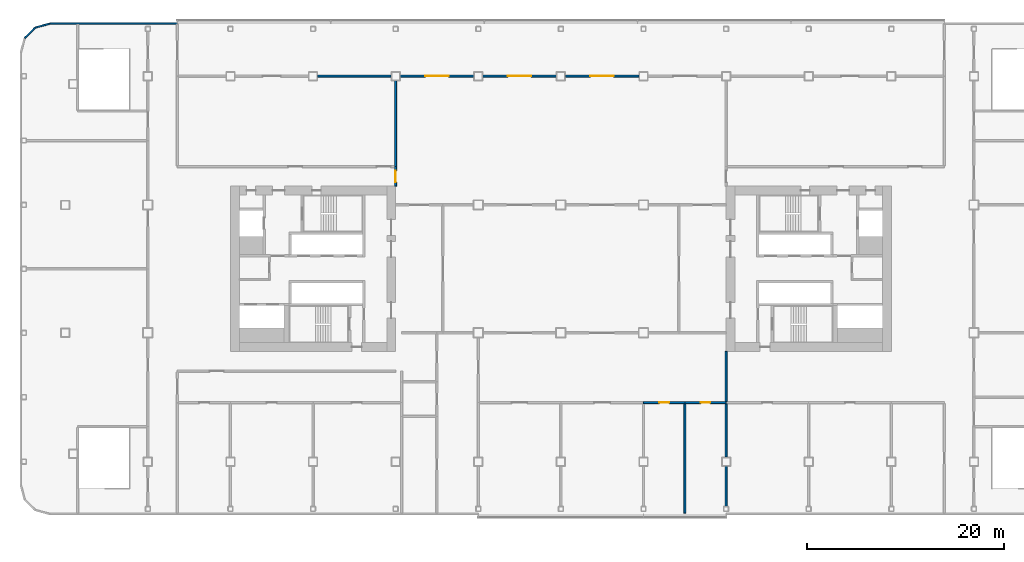
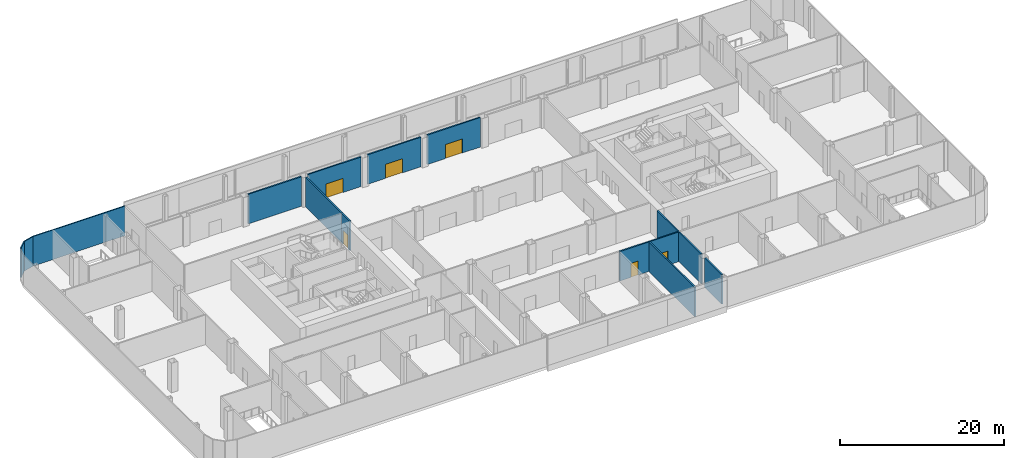
# One storey, part 21 of 53: 15 walls, 6 doors, 6 openings.
"""IFC4 building model written with IfcOpenShell, lengths in metres."""

import ifcopenshell
import ifcopenshell.guid

model = None  # the IFC model being written
_history = None  # IfcOwnerHistory: only IFC2X3 demands one
_inside = {}  # id of a spatial element -> (the spatial element, [elements in it])
_under = {}  # id of a project, library or spatial element -> (it, [spatial elements below it])
_declared = {}  # id of a project -> (the project, [libraries it declares])
_typed = {}  # id of a type object -> (the type object, [elements of that type])
_made_of = {}  # id of a material, layer set ... -> (it, [elements and type objects made of it])


def new_model(schema):
    """Start an empty IFC model of exactly this schema.

    Asked for "IFC4X3", IfcOpenShell would pick the latest addendum, in which some entities
    have other attributes; the version numbers below select the first issue.
    IFC2X3 requires an IfcOwnerHistory on every rooted entity: one is made here for all.
    """
    global model, _history
    if schema == "IFC4X3":
        model = ifcopenshell.file(schema_version=(4, 3, 0, 0))
    else:
        model = ifcopenshell.file(schema=schema)
    _inside.clear()
    _under.clear()
    _declared.clear()
    _typed.clear()
    _made_of.clear()
    _history = None
    if model.schema == "IFC2X3":
        org = make("IfcOrganization", Name="unknown")
        user = make(
            "IfcPersonAndOrganization",
            ThePerson=make("IfcPerson", FamilyName="unknown"),
            TheOrganization=org,
        )
        app = make(
            "IfcApplication",
            ApplicationDeveloper=org,
            Version="unknown",
            ApplicationFullName="unknown",
            ApplicationIdentifier="unknown",
        )
        _history = make(
            "IfcOwnerHistory",
            OwningUser=user,
            OwningApplication=app,
            ChangeAction="ADDED",
            CreationDate=0,
        )
    return model


def make(cls, **values):
    """One entity of the class cls with the attributes given. An attribute that is None is left unset."""
    return model.create_entity(
        cls, **{name: value for name, value in values.items() if value is not None}
    )


def rooted(cls, **values):
    """An entity with a GlobalId (a new one), such as an element, a storey or a relation."""
    return make(cls, GlobalId=ifcopenshell.guid.new(), OwnerHistory=_history, **values)


def si_unit(unit_type, name, prefix=None):
    """IfcSIUnit, for example si_unit("LENGTHUNIT", "METRE", prefix="MILLI")."""
    return make("IfcSIUnit", UnitType=unit_type, Prefix=prefix, Name=name)


def assignment(units):
    """IfcUnitAssignment: the units of a project."""
    return None if units is None else make("IfcUnitAssignment", Units=units)


def point(xyz):
    """IfcCartesianPoint."""
    return None if xyz is None else make("IfcCartesianPoint", Coordinates=xyz)


def direction(xyz):
    """IfcDirection."""
    return None if xyz is None else make("IfcDirection", DirectionRatios=xyz)


def frame(location, z_axis=None, x_axis=None):
    """IfcAxis2Placement3D, a coordinate frame: its origin and axes. An axis left out is left unset."""
    return make(
        "IfcAxis2Placement3D",
        Location=point(location),
        Axis=direction(z_axis),
        RefDirection=direction(x_axis),
    )


def frame_2d(location, x_axis=None):
    """IfcAxis2Placement2D, a coordinate frame in the plane: its origin and x axis."""
    return make(
        "IfcAxis2Placement2D", Location=point(location), RefDirection=direction(x_axis)
    )


def origin():
    """The frame at (0, 0, 0) with its axes left unset."""
    return frame((0.0, 0.0, 0.0))


def place(relative_to, where):
    """IfcLocalPlacement: puts the frame where relative to a parent placement (None: the world)."""
    return make(
        "IfcLocalPlacement", PlacementRelTo=relative_to, RelativePlacement=where
    )


def context(
    kind, dimensions, precision=None, world=None, true_north=None, identifier=None
):
    """IfcGeometricRepresentationContext, for example the 3D "Model" context."""
    return make(
        "IfcGeometricRepresentationContext",
        ContextIdentifier=identifier,
        ContextType=kind,
        CoordinateSpaceDimension=dimensions,
        Precision=precision,
        WorldCoordinateSystem=world,
        TrueNorth=true_north,
    )


def subcontext(parent, identifier, kind, view, scale=None):
    """IfcGeometricRepresentationSubContext, for example "Body" below "Model"."""
    return make(
        "IfcGeometricRepresentationSubContext",
        ContextIdentifier=identifier,
        ContextType=kind,
        ParentContext=parent,
        TargetScale=scale,
        TargetView=view,
    )


def project(units=None, contexts=None):
    """IfcProject with its units and contexts."""
    return rooted(
        "IfcProject",
        Name="project",
        RepresentationContexts=contexts,
        UnitsInContext=assignment(units),
    )


def spatial(cls, under=None, at=None, **own):
    """A site, building, storey or space (cls), placed at a placement, below another one or the project."""
    s = rooted(cls, ObjectPlacement=at, **own)
    if under is not None:
        _under.setdefault(under.id(), (under, []))[1].append(s)
    return s


def profile(cls, at=None, kind="AREA", **sizes):
    """A parametric profile (cls). Its sizes go by their IFC names, for example OverallWidth=200.0."""
    return make(cls, ProfileType=kind, Position=at, **sizes)


def rectangle(**sizes):
    """IfcRectangleProfileDef."""
    return profile("IfcRectangleProfileDef", **sizes)


def extrude(swept, where, along, depth):
    """IfcExtrudedAreaSolid: the profile swept, set in the frame where, extruded along a direction by depth."""
    return make(
        "IfcExtrudedAreaSolid",
        SweptArea=swept,
        Position=where,
        ExtrudedDirection=direction(along),
        Depth=depth,
    )


def shape(context_of_items, identifier, shape_type, items):
    """IfcShapeRepresentation: the items that make up one representation, for example the "Body"."""
    return make(
        "IfcShapeRepresentation",
        ContextOfItems=context_of_items,
        RepresentationIdentifier=identifier,
        RepresentationType=shape_type,
        Items=items,
    )


def material(Name=None, Category=None):
    """IfcMaterial."""
    return make("IfcMaterial", Name=Name, Category=Category)


def layer(
    of_material, thickness, ventilated=None, Name=None, Category=None, Priority=None
):
    """IfcMaterialLayer: one layer of a wall or slab, of a material (None: an air gap)."""
    return make(
        "IfcMaterialLayer",
        Material=of_material,
        LayerThickness=thickness,
        IsVentilated=ventilated,
        Name=Name,
        Category=Category,
        Priority=Priority,
    )


def layer_set(layers, Name=None):
    """IfcMaterialLayerSet."""
    return make("IfcMaterialLayerSet", MaterialLayers=layers, LayerSetName=Name)


def made_of(thing, what):
    """Note that an element or type object is made of a material, layer set ...; save() writes the relation."""
    if what is not None:
        _made_of.setdefault(what.id(), (what, []))[1].append(thing)
    return thing


def type_object(cls, material=None, **own):
    """A type object (cls), such as IfcWallType, which elements share."""
    return made_of(rooted(cls, **own), material)


def element(
    cls,
    number,
    at=None,
    inside=None,
    cuts=None,
    type_object=None,
    material=None,
    context=None,
    identifier="Body",
    shape_type=None,
    held_by="IfcProductDefinitionShape",
    body=None,
    shapes=None,
    **own,
):
    """One element of the class cls, such as IfcWall. Its Tag is "e" and its number.

    at: its placement. inside: the storey or other place that contains it. cuts: it is an
    opening in that element (IfcRelVoidsElement). A single representation is given by context,
    identifier, shape_type and body (its items); several are given by shapes. held_by: the class
    of the entity that holds the representations. save() writes the other relations.
    """
    e = rooted(cls, Tag="e%d" % number, ObjectPlacement=at, **own)
    if body is not None:
        shapes = [shape(context, identifier, shape_type, body)]
    if shapes is not None:
        e.Representation = make(held_by, Representations=shapes)
    if inside is not None:
        _inside.setdefault(inside.id(), (inside, []))[1].append(e)
    if cuts is not None:
        rooted(
            "IfcRelVoidsElement", RelatingBuildingElement=cuts, RelatedOpeningElement=e
        )
    if type_object is not None:
        _typed.setdefault(type_object.id(), (type_object, []))[1].append(e)
    return made_of(e, material)


def fill(opening, filler):
    """IfcRelFillsElement: the door or window that sits in an opening."""
    return rooted(
        "IfcRelFillsElement",
        RelatingOpeningElement=opening,
        RelatedBuildingElement=filler,
    )


def aggregate(whole, parts):
    """IfcRelAggregates: a whole, such as a stair, and the parts it consists of."""
    return rooted("IfcRelAggregates", RelatingObject=whole, RelatedObjects=parts)


def save(model, path):
    """Write the relations noted so far, then the file.

    IfcRelAggregates (storeys below a building ...), IfcRelContainedInSpatialStructure (elements
    in a storey), IfcRelDefinesByType, IfcRelAssociatesMaterial and IfcRelDeclares: one each for
    every whole, place, type object, material and project.
    """
    for whole, parts in _under.values():
        aggregate(whole, parts)
    for where, things in _inside.values():
        rooted(
            "IfcRelContainedInSpatialStructure",
            RelatedElements=things,
            RelatingStructure=where,
        )
    for kind, things in _typed.values():
        rooted("IfcRelDefinesByType", RelatedObjects=things, RelatingType=kind)
    for what, things in _made_of.values():
        rooted("IfcRelAssociatesMaterial", RelatedObjects=things, RelatingMaterial=what)
    for by, libraries in _declared.values():
        rooted("IfcRelDeclares", RelatingContext=by, RelatedDefinitions=libraries)
    model.write(path)


model = new_model("IFC4")

# Units and contexts
model_context = context("Model", 3, precision=1e-05, world=origin(), true_north=direction((0.0, 1.0)))
body_context = subcontext(model_context, "Body", "Model", "MODEL_VIEW")
ifc_project = project(units=[si_unit("LENGTHUNIT", "METRE"), si_unit("AREAUNIT", "SQUARE_METRE"), si_unit("VOLUMEUNIT", "CUBIC_METRE"), si_unit("PLANEANGLEUNIT", "RADIAN"), si_unit("MASSUNIT", "GRAM", prefix="KILO")], contexts=[model_context])

# Site, building, storey
site_placement = place(None, origin())
site = spatial("IfcSite", under=ifc_project, at=site_placement, CompositionType="ELEMENT")
building_placement = place(site_placement, origin())
building = spatial("IfcBuilding", under=site, at=building_placement, Name="Hakoniwa Tower and Hamabe Station Hall", CompositionType="ELEMENT")
storey_placement = place(building_placement, frame((0.0, 0.0, 15.0)))
storey = spatial("IfcBuildingStorey", under=building, at=storey_placement, Name="L03", CompositionType="ELEMENT", Elevation=15.0)

# Walls
ifc_material_1 = material(Name="Dark glass-faced aluminium panel", Category="aluminium")
ifc_layer_1 = layer(ifc_material_1, 0.14990234375)
ifc_layer_set_1 = layer_set([ifc_layer_1], Name="EXTERNAL WALL 150 EI 60")
wall_type_1 = type_object("IfcWallType", Name="EXTERNAL WALL 150 EI 60", PredefinedType="STANDARD", material=ifc_layer_set_1)
wall_1_placement = place(storey_placement, frame((-54.5166015625, 23.475341796875, 0.0), z_axis=(0.0, 0.0, 1.0), x_axis=(0.707106781187, 0.707106781187, 0.0)))
element("IfcWall", 1, at=wall_1_placement, inside=storey, type_object=wall_type_1, Name="External wall L03 10-1", PredefinedType="STANDARD", context=body_context, shape_type="SweptSolid", body=[
    extrude(rectangle(XDim=1.47265625, YDim=0.14990234375, at=frame_2d((0.736328125, 0.0))), origin(), (0.0, 0.0, 1.0), 4.39990234375),
])
wall_2_placement = place(storey_placement, frame((-53.441650390625, 24.5361328125, 0.0), z_axis=(0.0, 0.0, 1.0), x_axis=(0.965946591624, 0.258741535379, 0.0)))
element("IfcWall", 2, at=wall_2_placement, inside=storey, type_object=wall_type_1, Name="External wall L03 11-1", PredefinedType="STANDARD", context=body_context, shape_type="SweptSolid", body=[
    extrude(rectangle(XDim=1.49267578125, YDim=0.14990234375, at=frame_2d((0.746337890625, 0.0))), origin(), (0.0, 0.0, 1.0), 4.39990234375),
])
wall_3_placement = place(storey_placement, frame((-51.980224609375, 24.925048828125, 0.0), z_axis=(0.0, 0.0, 1.0), x_axis=(1.0, 0.0, 0.0)))
element("IfcWall", 3, at=wall_3_placement, inside=storey, type_object=wall_type_1, Name="External wall L03 12-1", PredefinedType="STANDARD", context=body_context, shape_type="SweptSolid", body=[
    extrude(rectangle(XDim=12.980224609375, YDim=0.14990234375, at=frame_2d((6.490234375, 0.0))), origin(), (0.0, 0.0, 1.0), 4.39990234375),
])
ifc_material_2 = material(Name="Fire-rated gypsum board partition")
ifc_layer_2 = layer(ifc_material_2, 0.199951171875)
ifc_layer_set_2 = layer_set([ifc_layer_2], Name="FIRE PARTITION 200 EI 60")
wall_type_2 = type_object("IfcWallType", Name="FIRE PARTITION 200 EI 60", PredefinedType="PARTITIONING", material=ifc_layer_set_2)
wall_4_placement = place(storey_placement, frame((-16.800048828125, 10.39990234375, 0.0), z_axis=(0.0, 0.0, 1.0), x_axis=(0.0, 1.0, 0.0)))
element("IfcWall", 4, at=wall_4_placement, inside=storey, type_object=wall_type_2, Name="Wall Grand Ballroom / Meeting Room 8", PredefinedType="PARTITIONING", context=body_context, shape_type="SweptSolid", body=[
    extrude(rectangle(XDim=8.75, YDim=0.199951171875, at=frame_2d((4.375, 0.0))), origin(), (0.0, 0.0, 1.0), 4.39990234375),
])
wall_5_placement = place(storey_placement, frame((16.800048828125, -13.699951171875, 0.0), z_axis=(0.0, 0.0, 1.0), x_axis=(0.0, -1.0, 0.0)))
element("IfcWall", 5, at=wall_5_placement, inside=storey, type_object=wall_type_2, Name="Wall Men's Changing Room / Meeting Room 1", PredefinedType="PARTITIONING", context=body_context, shape_type="SweptSolid", body=[
    extrude(rectangle(XDim=5.449951171875, YDim=0.199951171875, at=frame_2d((2.72509765625, 0.0))), origin(), (0.0, 0.0, 1.0), 4.39990234375),
])
wall_6_placement = place(storey_placement, frame((16.800048828125, -20.050048828125, 0.0), z_axis=(0.0, 0.0, 1.0), x_axis=(0.0, -1.0, 0.0)))
element("IfcWall", 6, at=wall_6_placement, inside=storey, type_object=wall_type_2, Name="Wall Men's Changing Room / Meeting Room 1", PredefinedType="PARTITIONING", context=body_context, shape_type="SweptSolid", body=[
    extrude(rectangle(XDim=4.099853515625, YDim=0.199951171875, at=frame_2d((2.0498046875, 0.0))), origin(), (0.0, 0.0, 1.0), 4.39990234375),
])
wall_7_placement = place(storey_placement, frame((12.60009765625, -13.699951171875, 0.0), z_axis=(0.0, 0.0, 1.0), x_axis=(0.0, -1.0, 0.0)))
element("IfcWall", 7, at=wall_7_placement, inside=storey, type_object=wall_type_2, Name="Wall Women's Changing Room / Men's Changing Room", PredefinedType="PARTITIONING", context=body_context, shape_type="SweptSolid", body=[
    extrude(rectangle(XDim=11.150146484375, YDim=0.199951171875, at=frame_2d((5.5751953125, 0.0))), origin(), (0.0, 0.0, 1.0), 4.39990234375),
])
wall_8_placement = place(storey_placement, frame((16.800048828125, -13.5, 0.0), z_axis=(0.0, 0.0, 1.0), x_axis=(0.0, 1.0, 0.0)))
element("IfcWall", 8, at=wall_8_placement, inside=storey, type_object=wall_type_2, Name="Wall East Gallery / Spa Reception", PredefinedType="PARTITIONING", context=body_context, shape_type="SweptSolid", body=[
    extrude(rectangle(XDim=5.10009765625, YDim=0.199951171875, at=frame_2d((2.550048828125, 0.0))), origin(), (0.0, 0.0, 1.0), 4.39990234375),
])

# Wall, opening, door
wall_9_placement = place(storey_placement, frame((7.949951171875, 19.60009765625, 0.0), z_axis=(0.0, 0.0, 1.0), x_axis=(-1.0, 0.0, 0.0)))
wall_9 = element("IfcWall", 9, at=wall_9_placement, inside=storey, type_object=wall_type_2, Name="Wall Ballroom Pre-function Foyer / Grand Ballroom", PredefinedType="PARTITIONING", context=body_context, shape_type="SweptSolid", body=[
    extrude(rectangle(XDim=7.5, YDim=0.199951171875, at=frame_2d((3.75, 0.0))), origin(), (0.0, 0.0, 1.0), 4.39990234375),
])
opening_1_placement = place(wall_9_placement, frame((2.550048828125, 0.0, 0.0)))
opening_1 = element("IfcOpeningElement", 10, at=opening_1_placement, cuts=wall_9, Name="Opening PD-L03-007", PredefinedType="OPENING", context=body_context, shape_type="SweptSolid", body=[
    extrude(rectangle(XDim=2.39990234375, YDim=2.10009765625, at=frame_2d((1.199951171875, 1.050048828125))), frame((0.0, 0.10986328125, 0.0), z_axis=(0.0, -1.0, 0.0), x_axis=(1.0, 0.0, 0.0)), (0.0, 0.0, 1.0), 0.219970703125),
])
ifc_material_3 = material(Name="Glazed aluminium door", Category="aluminium")
door_type_1 = type_object("IfcDoorType", Name="DOUBLE GLAZED DOOR 2400X2100", OperationType="DOUBLE_DOOR_DOUBLE_SWING", PredefinedType="DOOR", material=ifc_material_3)
door_1_placement = place(opening_1_placement, origin())
door_1 = element("IfcDoor", 11, at=door_1_placement, inside=storey, type_object=door_type_1, Name="Door PD-L03-007", OperationType="DOUBLE_DOOR_DOUBLE_SWING", OverallHeight=2.10009765625, OverallWidth=2.39990234375, PredefinedType="DOOR", context=body_context, shape_type="SweptSolid", body=[
    extrude(rectangle(XDim=2.39990234375, YDim=2.10009765625, at=frame_2d((1.199951171875, 1.050048828125))), frame((0.0, 0.02490234375, 0.0), z_axis=(0.0, -1.0, 0.0), x_axis=(1.0, 0.0, 0.0)), (0.0, 0.0, 1.0), 0.050048828125),
])
fill(opening_1, door_1)

wall_10_placement = place(storey_placement, frame((-0.449951171875, 19.60009765625, 0.0), z_axis=(0.0, 0.0, 1.0), x_axis=(-1.0, 0.0, 0.0)))
wall_10 = element("IfcWall", 12, at=wall_10_placement, inside=storey, type_object=wall_type_2, Name="Wall Ballroom Pre-function Foyer / Grand Ballroom", PredefinedType="PARTITIONING", context=body_context, shape_type="SweptSolid", body=[
    extrude(rectangle(XDim=7.5, YDim=0.199951171875, at=frame_2d((3.75, 0.0))), origin(), (0.0, 0.0, 1.0), 4.39990234375),
])
opening_2_placement = place(wall_10_placement, frame((2.550048828125, 0.0, 0.0)))
opening_2 = element("IfcOpeningElement", 13, at=opening_2_placement, cuts=wall_10, Name="Opening PD-L03-006", PredefinedType="OPENING", context=body_context, shape_type="SweptSolid", body=[
    extrude(rectangle(XDim=2.39990234375, YDim=2.10009765625, at=frame_2d((1.199951171875, 1.050048828125))), frame((0.0, 0.10986328125, 0.0), z_axis=(0.0, -1.0, 0.0), x_axis=(1.0, 0.0, 0.0)), (0.0, 0.0, 1.0), 0.219970703125),
])
door_2_placement = place(opening_2_placement, origin())
door_2 = element("IfcDoor", 14, at=door_2_placement, inside=storey, type_object=door_type_1, Name="Door PD-L03-006", OperationType="DOUBLE_DOOR_DOUBLE_SWING", OverallHeight=2.10009765625, OverallWidth=2.39990234375, PredefinedType="DOOR", context=body_context, shape_type="SweptSolid", body=[
    extrude(rectangle(XDim=2.39990234375, YDim=2.10009765625, at=frame_2d((1.199951171875, 1.050048828125))), frame((0.0, 0.02490234375, 0.0), z_axis=(0.0, -1.0, 0.0), x_axis=(1.0, 0.0, 0.0)), (0.0, 0.0, 1.0), 0.050048828125),
])
fill(opening_2, door_2)

wall_11_placement = place(storey_placement, frame((-8.85009765625, 19.60009765625, 0.0), z_axis=(0.0, 0.0, 1.0), x_axis=(-1.0, 0.0, 0.0)))
wall_11 = element("IfcWall", 15, at=wall_11_placement, inside=storey, type_object=wall_type_2, Name="Wall Ballroom Pre-function Foyer / Grand Ballroom", PredefinedType="PARTITIONING", context=body_context, shape_type="SweptSolid", body=[
    extrude(rectangle(XDim=7.5, YDim=0.199951171875, at=frame_2d((3.75, 0.0))), origin(), (0.0, 0.0, 1.0), 4.39990234375),
])
opening_3_placement = place(wall_11_placement, frame((2.550048828125, 0.0, 0.0)))
opening_3 = element("IfcOpeningElement", 16, at=opening_3_placement, cuts=wall_11, Name="Opening PD-L03-005", PredefinedType="OPENING", context=body_context, shape_type="SweptSolid", body=[
    extrude(rectangle(XDim=2.39990234375, YDim=2.10009765625, at=frame_2d((1.199951171875, 1.050048828125))), frame((0.0, 0.10986328125, 0.0), z_axis=(0.0, -1.0, 0.0), x_axis=(1.0, 0.0, 0.0)), (0.0, 0.0, 1.0), 0.219970703125),
])
door_3_placement = place(opening_3_placement, origin())
door_3 = element("IfcDoor", 17, at=door_3_placement, inside=storey, type_object=door_type_1, Name="Door PD-L03-005", OperationType="DOUBLE_DOOR_DOUBLE_SWING", OverallHeight=2.10009765625, OverallWidth=2.39990234375, PredefinedType="DOOR", context=body_context, shape_type="SweptSolid", body=[
    extrude(rectangle(XDim=2.39990234375, YDim=2.10009765625, at=frame_2d((1.199951171875, 1.050048828125))), frame((0.0, 0.02490234375, 0.0), z_axis=(0.0, -1.0, 0.0), x_axis=(1.0, 0.0, 0.0)), (0.0, 0.0, 1.0), 0.050048828125),
])
fill(opening_3, door_3)

# Wall
wall_12_placement = place(storey_placement, frame((-17.25, 19.60009765625, 0.0), z_axis=(0.0, 0.0, 1.0), x_axis=(-1.0, 0.0, 0.0)))
element("IfcWall", 18, at=wall_12_placement, inside=storey, type_object=wall_type_2, Name="Wall Ballroom Pre-function Foyer / Meeting Room 8", PredefinedType="PARTITIONING", context=body_context, shape_type="SweptSolid", body=[
    extrude(rectangle(XDim=7.5, YDim=0.199951171875, at=frame_2d((3.75, 0.0))), origin(), (0.0, 0.0, 1.0), 4.39990234375),
])

# Wall, opening, door
wall_13_placement = place(storey_placement, frame((16.800048828125, -13.60009765625, 0.0), z_axis=(0.0, 0.0, 1.0), x_axis=(-1.0, 0.0, 0.0)))
wall_13 = element("IfcWall", 19, at=wall_13_placement, inside=storey, type_object=wall_type_2, Name="Wall Spa Reception / Men's Changing Room", PredefinedType="PARTITIONING", context=body_context, shape_type="SweptSolid", body=[
    extrude(rectangle(XDim=4.199951171875, YDim=0.199951171875, at=frame_2d((2.10009765625, 0.0))), origin(), (0.0, 0.0, 1.0), 4.39990234375),
])
opening_4_placement = place(wall_13_placement, frame((1.60009765625, 0.0, 0.0)))
opening_4 = element("IfcOpeningElement", 20, at=opening_4_placement, cuts=wall_13, Name="Opening PD-L03-032", PredefinedType="OPENING", context=body_context, shape_type="SweptSolid", body=[
    extrude(rectangle(XDim=1.0, YDim=2.10009765625, at=frame_2d((0.5, 1.050048828125))), frame((0.0, 0.10986328125, 0.0), z_axis=(0.0, -1.0, 0.0), x_axis=(1.0, 0.0, 0.0)), (0.0, 0.0, 1.0), 0.219970703125),
])
ifc_material_4 = material(Name="Timber door leaf", Category="wood")
door_type_2 = type_object("IfcDoorType", Name="SINGLE DOOR 1000X2100", OperationType="SINGLE_SWING_LEFT", PredefinedType="DOOR", material=ifc_material_4)
door_4_placement = place(opening_4_placement, origin())
door_4 = element("IfcDoor", 21, at=door_4_placement, inside=storey, type_object=door_type_2, Name="Door PD-L03-032", OperationType="SINGLE_SWING_RIGHT", OverallHeight=2.10009765625, OverallWidth=1.0, PredefinedType="DOOR", context=body_context, shape_type="SweptSolid", body=[
    extrude(rectangle(XDim=1.0, YDim=2.10009765625, at=frame_2d((0.5, 1.050048828125))), frame((0.0, 0.02490234375, 0.0), z_axis=(0.0, -1.0, 0.0), x_axis=(1.0, 0.0, 0.0)), (0.0, 0.0, 1.0), 0.050048828125),
])
fill(opening_4, door_4)

wall_14_placement = place(storey_placement, frame((12.60009765625, -13.60009765625, 0.0), z_axis=(0.0, 0.0, 1.0), x_axis=(-1.0, 0.0, 0.0)))
wall_14 = element("IfcWall", 22, at=wall_14_placement, inside=storey, type_object=wall_type_2, Name="Wall Spa Reception / Women's Changing Room", PredefinedType="PARTITIONING", context=body_context, shape_type="SweptSolid", body=[
    extrude(rectangle(XDim=4.2001953125, YDim=0.199951171875, at=frame_2d((2.10009765625, 0.0))), origin(), (0.0, 0.0, 1.0), 4.39990234375),
])
opening_5_placement = place(wall_14_placement, frame((1.60009765625, 0.0, 0.0)))
opening_5 = element("IfcOpeningElement", 23, at=opening_5_placement, cuts=wall_14, Name="Opening PD-L03-031", PredefinedType="OPENING", context=body_context, shape_type="SweptSolid", body=[
    extrude(rectangle(XDim=1.0, YDim=2.10009765625, at=frame_2d((0.5, 1.050048828125))), frame((0.0, 0.10986328125, 0.0), z_axis=(0.0, -1.0, 0.0), x_axis=(1.0, 0.0, 0.0)), (0.0, 0.0, 1.0), 0.219970703125),
])
door_5_placement = place(opening_5_placement, origin())
door_5 = element("IfcDoor", 24, at=door_5_placement, inside=storey, type_object=door_type_2, Name="Door PD-L03-031", OperationType="SINGLE_SWING_LEFT", OverallHeight=2.10009765625, OverallWidth=1.0, PredefinedType="DOOR", context=body_context, shape_type="SweptSolid", body=[
    extrude(rectangle(XDim=1.0, YDim=2.10009765625, at=frame_2d((0.5, 1.050048828125))), frame((0.0, 0.02490234375, 0.0), z_axis=(0.0, -1.0, 0.0), x_axis=(1.0, 0.0, 0.0)), (0.0, 0.0, 1.0), 0.050048828125),
])
fill(opening_5, door_5)

wall_15_placement = place(storey_placement, frame((-16.800048828125, 10.39990234375, 0.0), z_axis=(0.0, 0.0, 1.0), x_axis=(0.0, -1.0, 0.0)))
wall_15 = element("IfcWall", 25, at=wall_15_placement, inside=storey, type_object=wall_type_2, Name="Wall West Service Corridor / Grand Ballroom", PredefinedType="PARTITIONING", context=body_context, shape_type="SweptSolid", body=[
    extrude(rectangle(XDim=2.0, YDim=0.199951171875, at=frame_2d((1.0, 0.0))), origin(), (0.0, 0.0, 1.0), 4.39990234375),
])
opening_6_placement = place(wall_15_placement, frame((0.39990234375, 0.0, 0.0)))
opening_6 = element("IfcOpeningElement", 26, at=opening_6_placement, cuts=wall_15, Name="Opening PD-L03-011", PredefinedType="OPENING", context=body_context, shape_type="SweptSolid", body=[
    extrude(rectangle(XDim=1.199951171875, YDim=2.10009765625, at=frame_2d((0.60009765625, 1.050048828125))), frame((0.0, 0.10986328125, 0.0), z_axis=(0.0, -1.0, 0.0), x_axis=(1.0, 0.0, 0.0)), (0.0, 0.0, 1.0), 0.219970703125),
])
ifc_material_5 = material(Name="Steel fire door", Category="steel")
door_type_3 = type_object("IfcDoorType", Name="FIRE DOOR 1200X2100 FD60", OperationType="SINGLE_SWING_LEFT", PredefinedType="DOOR", material=ifc_material_5)
door_6_placement = place(opening_6_placement, origin())
door_6 = element("IfcDoor", 27, at=door_6_placement, inside=storey, type_object=door_type_3, Name="Door PD-L03-011", OperationType="SINGLE_SWING_LEFT", OverallHeight=2.10009765625, OverallWidth=1.199951171875, PredefinedType="DOOR", context=body_context, shape_type="SweptSolid", body=[
    extrude(rectangle(XDim=1.199951171875, YDim=2.10009765625, at=frame_2d((0.60009765625, 1.050048828125))), frame((0.0, 0.02490234375, 0.0), z_axis=(0.0, -1.0, 0.0), x_axis=(1.0, 0.0, 0.0)), (0.0, 0.0, 1.0), 0.050048828125),
])
fill(opening_6, door_6)

save(model, "model.ifc")
